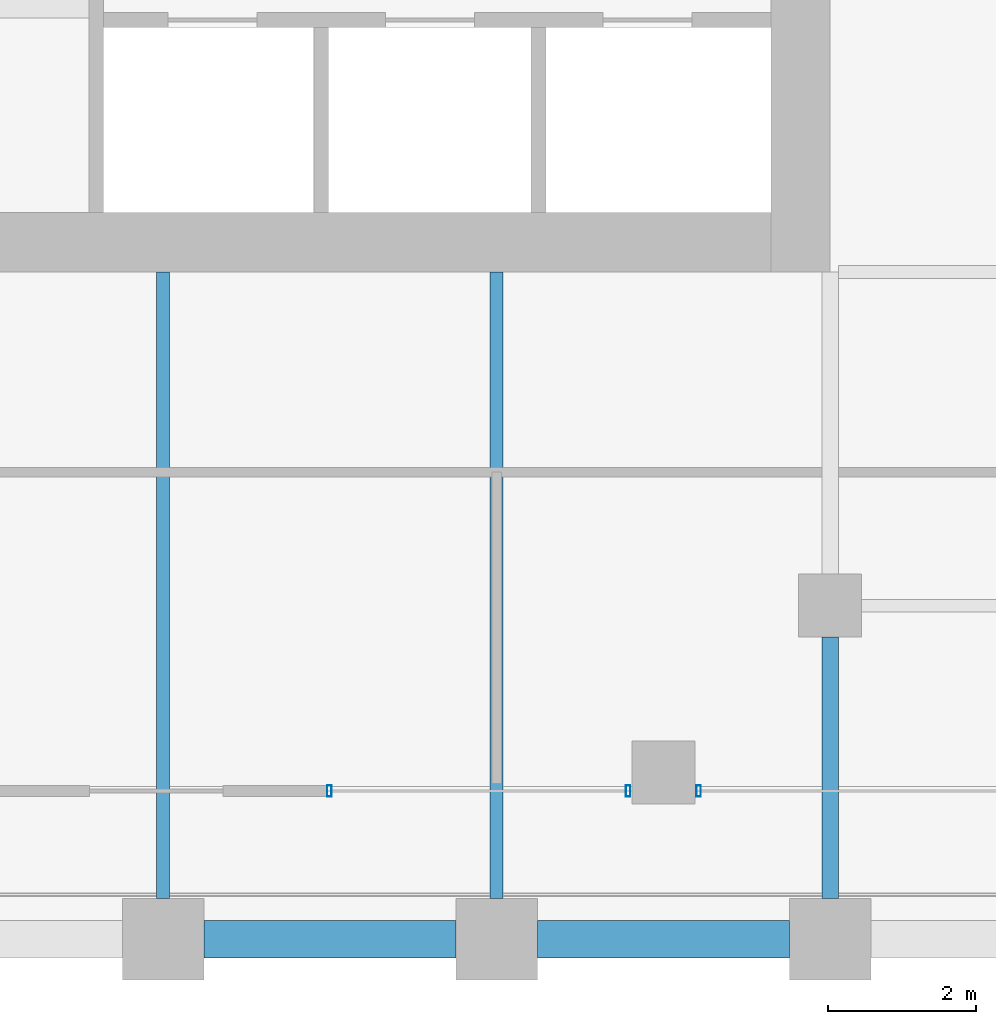
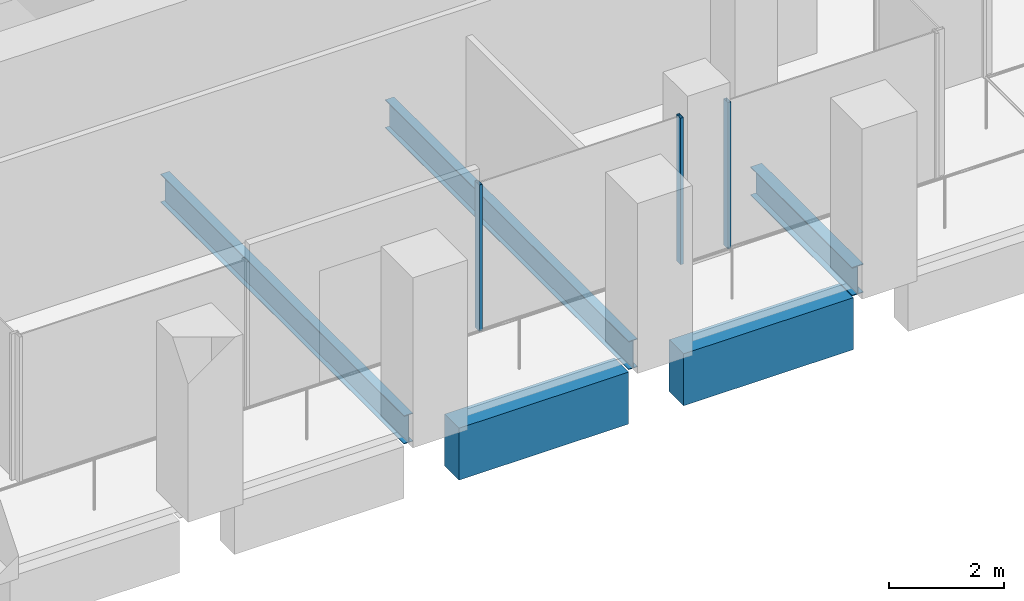
# One storey, part 37 of 54: 5 beams, 3 members, 2 elements without a shape of their own.
"""IFC4 building model written with IfcOpenShell, lengths in metres."""

from ifc_helpers import new_model, si_unit, direction, frame, origin, origin_2d, place, context, subcontext, project, spatial, rectangle, hollow_rectangle, i_section, extrude, material, material_profile, profile_set, type_object, element, aggregate, save


model = new_model("IFC4")

# Units and contexts
model_context = context("Model", 3, precision=1e-05, world=origin(), true_north=direction((0.0, 1.0)))
body_context = subcontext(model_context, "Body", "Model", "MODEL_VIEW")
ifc_project = project(units=[si_unit("LENGTHUNIT", "METRE"), si_unit("AREAUNIT", "SQUARE_METRE"), si_unit("VOLUMEUNIT", "CUBIC_METRE"), si_unit("PLANEANGLEUNIT", "RADIAN"), si_unit("MASSUNIT", "GRAM", prefix="KILO")], contexts=[model_context])

# Site, building, storey
site_placement = place(None, origin())
site = spatial("IfcSite", under=ifc_project, at=site_placement, CompositionType="ELEMENT")
building_placement = place(site_placement, origin())
building = spatial("IfcBuilding", under=site, at=building_placement, Name="Altepetl Exchange Towers", CompositionType="ELEMENT")
storey_placement = place(building_placement, frame((0.0, 0.0, 58.199951171875)))
storey = spatial("IfcBuildingStorey", under=building, at=storey_placement, Name="L13", CompositionType="ELEMENT", Elevation=58.199951171875)

# Beams
ifc_material_1 = material(Name="Steel S355", Category="steel")
ifc_material_profile_1 = material_profile(ifc_material_1, i_section(OverallWidth=0.177978515625, OverallDepth=0.59912109375, WebThickness=0.010009765625, FlangeThickness=0.0126953125, at=origin_2d()), Name="W24X55")
ifc_profile_set_1 = profile_set([ifc_material_profile_1], Name="Steel S355")
beam_type_1 = type_object("IfcBeamType", Name="Floor beam W24X55", PredefinedType="BEAM", material=ifc_profile_set_1)
for number, where, z_axis, x_axis, name in (
    (1, (108.0, 27.550048828125, -0.449462890625), (0.0, 1.0, 0.0), (-1.0, 0.0, 0.0), "bm:B:L13:010"),
    (2, (112.5, 27.550048828125, -0.449462890625), (0.0, 1.0, 0.0), (-1.0, 0.0, 0.0), "bm:B:L13:011"),
):
    element("IfcBeam", number, at=place(storey_placement, frame(where, z_axis=z_axis, x_axis=x_axis)), inside=storey, type_object=beam_type_1, Name=name, PredefinedType="BEAM", context=body_context, shape_type="SweptSolid", body=[
        extrude(i_section(OverallWidth=0.177978515625, OverallDepth=0.59912109375, WebThickness=0.010009765625, FlangeThickness=0.0126953125, at=origin_2d()), origin(), (0.0, 0.0, 1.0), 8.449951171875),
    ])
ifc_material_profile_2 = material_profile(ifc_material_1, i_section(OverallWidth=0.22802734375, OverallDepth=0.60791015625, WebThickness=0.01123046875, FlangeThickness=0.017333984375, at=origin_2d()), Name="W24X76")
ifc_profile_set_2 = profile_set([ifc_material_profile_2], Name="Steel S355")
beam_type_2 = type_object("IfcBeamType", Name="Girder W24X76", PredefinedType="BEAM", material=ifc_profile_set_2)
beam_placement = place(storey_placement, frame((117.0, 31.074951171875, -0.453857421875), z_axis=(0.0, -1.0, 0.0), x_axis=(1.0, 0.0, 0.0)))
element("IfcBeam", 3, at=beam_placement, inside=storey, type_object=beam_type_2, Name="gd:B:L13:005", PredefinedType="BEAM", context=body_context, shape_type="SweptSolid", body=[
    extrude(i_section(OverallWidth=0.22802734375, OverallDepth=0.60791015625, WebThickness=0.01123046875, FlangeThickness=0.017333984375, at=origin_2d()), origin(), (0.0, 0.0, 1.0), 3.52490234375),
])

# Curtain wall, members
ifc_material_2 = material(Name="Aluminium 6063-T6 glazing", Category="aluminium")
curtain_wall_type = type_object("IfcCurtainWallType", Name="Loggia glazing system", PredefinedType="NOTDEFINED", material=ifc_material_2)
curtain_wall_1_placement = place(storey_placement, origin())
curtain_wall_1 = element("IfcCurtainWall", 4, at=curtain_wall_1_placement, inside=storey, type_object=curtain_wall_type, Name="CW1 run", PredefinedType="NOTDEFINED")
ifc_material_3 = material(Name="Aluminium 6063-T6", Category="aluminium")
ifc_material_profile_3 = material_profile(ifc_material_3, hollow_rectangle(XDim=0.06005859375, YDim=0.14990234375, WallThickness=0.0029296875, at=origin_2d()), Name="Mullion 60x150 aluminium")
ifc_profile_set_3 = profile_set([ifc_material_profile_3], Name="Aluminium 6063-T6")
member_type = type_object("IfcMemberType", Name="Mullion 60x150 aluminium", PredefinedType="MULLION", material=ifc_profile_set_3)
member_1_placement = place(storey_placement, frame((110.242431640625, 29.0, 0.0)))
member_1 = element("IfcMember", 5, at=member_1_placement, type_object=member_type, Name="MU1 mullion", PredefinedType="MULLION", context=body_context, shape_type="SweptSolid", body=[
    extrude(hollow_rectangle(XDim=0.06005859375, YDim=0.14990234375, WallThickness=0.0029296875, at=origin_2d()), origin(), (0.0, 0.0, 1.0), 3.10009765625),
])
member_2_placement = place(storey_placement, frame((114.27490234375, 29.0, 0.0)))
member_2 = element("IfcMember", 6, at=member_2_placement, type_object=member_type, Name="MU1 mullion", PredefinedType="MULLION", context=body_context, shape_type="SweptSolid", body=[
    extrude(hollow_rectangle(XDim=0.06005859375, YDim=0.14990234375, WallThickness=0.0029296875, at=origin_2d()), origin(), (0.0, 0.0, 1.0), 3.10009765625),
])
aggregate(curtain_wall_1, [member_1, member_2])

# Curtain wall, member
curtain_wall_2_placement = place(storey_placement, origin())
curtain_wall_2 = element("IfcCurtainWall", 7, at=curtain_wall_2_placement, inside=storey, type_object=curtain_wall_type, Name="CW1 run", PredefinedType="NOTDEFINED")
member_3_placement = place(storey_placement, frame((115.22509765625, 29.0, 0.0)))
member_3 = element("IfcMember", 8, at=member_3_placement, type_object=member_type, Name="MU1 mullion", PredefinedType="MULLION", context=body_context, shape_type="SweptSolid", body=[
    extrude(hollow_rectangle(XDim=0.06005859375, YDim=0.14990234375, WallThickness=0.0029296875, at=origin_2d()), origin(), (0.0, 0.0, 1.0), 3.10009765625),
])
aggregate(curtain_wall_2, [member_3])

# Beams
ifc_material_4 = material(Name="Concrete C50/60 precast with tezontle facing", Category="concrete")
ifc_material_profile_4 = material_profile(ifc_material_4, rectangle(XDim=0.5, YDim=1.10009765625, at=origin_2d()), Name="500 x 1100")
ifc_profile_set_4 = profile_set([ifc_material_profile_4], Name="Concrete C50/60 precast with tezontle facing")
beam_type_3 = type_object("IfcBeamType", Name="Spandrel beam 500x1100 tezontle", PredefinedType="SPANDREL", material=ifc_profile_set_4)
for number, where, z_axis, x_axis, name in (
    (9, (108.550048828125, 27.0, -0.699951171875), (1.0, 0.0, 0.0), (0.0, 1.0, 0.0), "sp:B:L13:002"),
    (10, (113.050048828125, 27.0, -0.699951171875), (1.0, 0.0, 0.0), (0.0, 1.0, 0.0), "sp:B:L13:003"),
):
    element("IfcBeam", number, at=place(storey_placement, frame(where, z_axis=z_axis, x_axis=x_axis)), inside=storey, type_object=beam_type_3, Name=name, PredefinedType="SPANDREL", context=body_context, shape_type="SweptSolid", body=[
        extrude(rectangle(XDim=0.5, YDim=1.10009765625, at=origin_2d()), origin(), (0.0, 0.0, 1.0), 3.39990234375),
    ])

save(model, "model.ifc")
